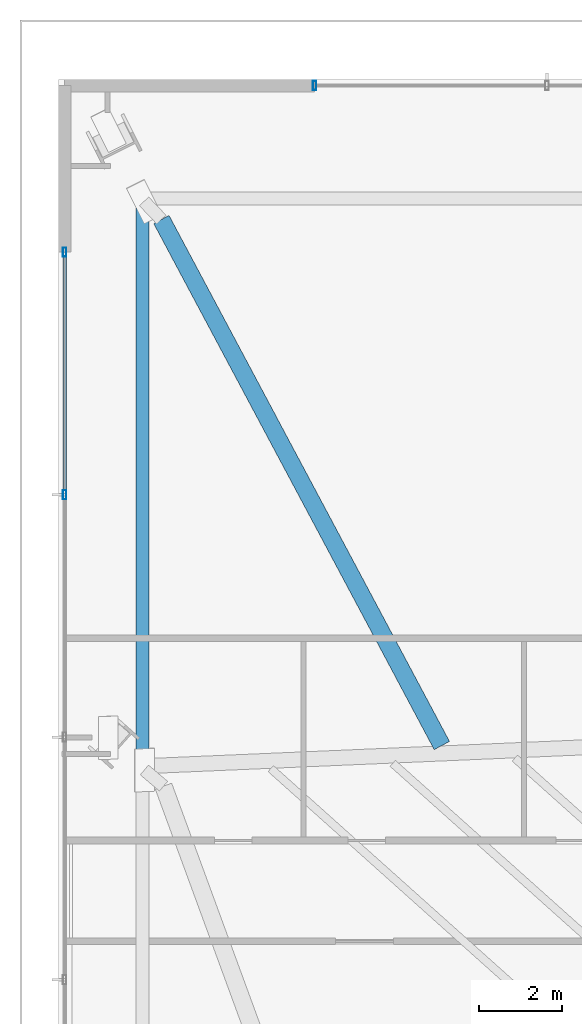
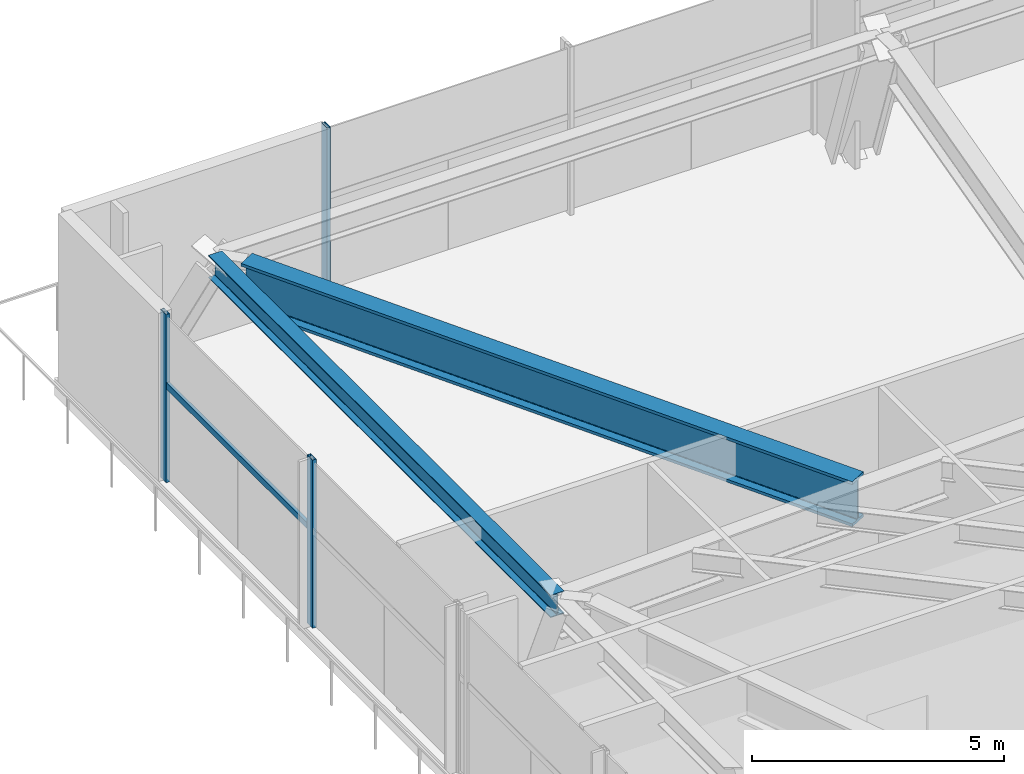
# One storey, part 9 of 30: 4 members, 2 beams, 2 elements without a shape of their own.
"""IFC4 building model written with IfcOpenShell, lengths in metres."""

import ifcopenshell
import ifcopenshell.guid

model = None  # the IFC model being written
_history = None  # IfcOwnerHistory: only IFC2X3 demands one
_inside = {}  # id of a spatial element -> (the spatial element, [elements in it])
_under = {}  # id of a project, library or spatial element -> (it, [spatial elements below it])
_declared = {}  # id of a project -> (the project, [libraries it declares])
_typed = {}  # id of a type object -> (the type object, [elements of that type])
_made_of = {}  # id of a material, layer set ... -> (it, [elements and type objects made of it])


def new_model(schema):
    """Start an empty IFC model of exactly this schema.

    Asked for "IFC4X3", IfcOpenShell would pick the latest addendum, in which some entities
    have other attributes; the version numbers below select the first issue.
    IFC2X3 requires an IfcOwnerHistory on every rooted entity: one is made here for all.
    """
    global model, _history
    if schema == "IFC4X3":
        model = ifcopenshell.file(schema_version=(4, 3, 0, 0))
    else:
        model = ifcopenshell.file(schema=schema)
    _inside.clear()
    _under.clear()
    _declared.clear()
    _typed.clear()
    _made_of.clear()
    _history = None
    if model.schema == "IFC2X3":
        org = make("IfcOrganization", Name="unknown")
        user = make(
            "IfcPersonAndOrganization",
            ThePerson=make("IfcPerson", FamilyName="unknown"),
            TheOrganization=org,
        )
        app = make(
            "IfcApplication",
            ApplicationDeveloper=org,
            Version="unknown",
            ApplicationFullName="unknown",
            ApplicationIdentifier="unknown",
        )
        _history = make(
            "IfcOwnerHistory",
            OwningUser=user,
            OwningApplication=app,
            ChangeAction="ADDED",
            CreationDate=0,
        )
    return model


def make(cls, **values):
    """One entity of the class cls with the attributes given. An attribute that is None is left unset."""
    return model.create_entity(
        cls, **{name: value for name, value in values.items() if value is not None}
    )


def rooted(cls, **values):
    """An entity with a GlobalId (a new one), such as an element, a storey or a relation."""
    return make(cls, GlobalId=ifcopenshell.guid.new(), OwnerHistory=_history, **values)


def si_unit(unit_type, name, prefix=None):
    """IfcSIUnit, for example si_unit("LENGTHUNIT", "METRE", prefix="MILLI")."""
    return make("IfcSIUnit", UnitType=unit_type, Prefix=prefix, Name=name)


def assignment(units):
    """IfcUnitAssignment: the units of a project."""
    return None if units is None else make("IfcUnitAssignment", Units=units)


def point(xyz):
    """IfcCartesianPoint."""
    return None if xyz is None else make("IfcCartesianPoint", Coordinates=xyz)


def direction(xyz):
    """IfcDirection."""
    return None if xyz is None else make("IfcDirection", DirectionRatios=xyz)


def frame(location, z_axis=None, x_axis=None):
    """IfcAxis2Placement3D, a coordinate frame: its origin and axes. An axis left out is left unset."""
    return make(
        "IfcAxis2Placement3D",
        Location=point(location),
        Axis=direction(z_axis),
        RefDirection=direction(x_axis),
    )


def frame_2d(location, x_axis=None):
    """IfcAxis2Placement2D, a coordinate frame in the plane: its origin and x axis."""
    return make(
        "IfcAxis2Placement2D", Location=point(location), RefDirection=direction(x_axis)
    )


def origin():
    """The frame at (0, 0, 0) with its axes left unset."""
    return frame((0.0, 0.0, 0.0))


def origin_2d():
    """The frame at (0, 0) in the plane with its x axis left unset."""
    return frame_2d((0.0, 0.0))


def place(relative_to, where):
    """IfcLocalPlacement: puts the frame where relative to a parent placement (None: the world)."""
    return make(
        "IfcLocalPlacement", PlacementRelTo=relative_to, RelativePlacement=where
    )


def context(
    kind, dimensions, precision=None, world=None, true_north=None, identifier=None
):
    """IfcGeometricRepresentationContext, for example the 3D "Model" context."""
    return make(
        "IfcGeometricRepresentationContext",
        ContextIdentifier=identifier,
        ContextType=kind,
        CoordinateSpaceDimension=dimensions,
        Precision=precision,
        WorldCoordinateSystem=world,
        TrueNorth=true_north,
    )


def subcontext(parent, identifier, kind, view, scale=None):
    """IfcGeometricRepresentationSubContext, for example "Body" below "Model"."""
    return make(
        "IfcGeometricRepresentationSubContext",
        ContextIdentifier=identifier,
        ContextType=kind,
        ParentContext=parent,
        TargetScale=scale,
        TargetView=view,
    )


def project(units=None, contexts=None):
    """IfcProject with its units and contexts."""
    return rooted(
        "IfcProject",
        Name="project",
        RepresentationContexts=contexts,
        UnitsInContext=assignment(units),
    )


def spatial(cls, under=None, at=None, **own):
    """A site, building, storey or space (cls), placed at a placement, below another one or the project."""
    s = rooted(cls, ObjectPlacement=at, **own)
    if under is not None:
        _under.setdefault(under.id(), (under, []))[1].append(s)
    return s


def profile(cls, at=None, kind="AREA", **sizes):
    """A parametric profile (cls). Its sizes go by their IFC names, for example OverallWidth=200.0."""
    return make(cls, ProfileType=kind, Position=at, **sizes)


def hollow_rectangle(**sizes):
    """IfcRectangleHollowProfileDef."""
    return profile("IfcRectangleHollowProfileDef", **sizes)


def i_section(**sizes):
    """IfcIShapeProfileDef."""
    return profile("IfcIShapeProfileDef", **sizes)


def extrude(swept, where, along, depth):
    """IfcExtrudedAreaSolid: the profile swept, set in the frame where, extruded along a direction by depth."""
    return make(
        "IfcExtrudedAreaSolid",
        SweptArea=swept,
        Position=where,
        ExtrudedDirection=direction(along),
        Depth=depth,
    )


def shape(context_of_items, identifier, shape_type, items):
    """IfcShapeRepresentation: the items that make up one representation, for example the "Body"."""
    return make(
        "IfcShapeRepresentation",
        ContextOfItems=context_of_items,
        RepresentationIdentifier=identifier,
        RepresentationType=shape_type,
        Items=items,
    )


def source(mapping_origin, context_of_items, identifier, shape_type, items):
    """IfcRepresentationMap: a shape defined once, which mapped items show again and again."""
    return make(
        "IfcRepresentationMap",
        MappingOrigin=mapping_origin,
        MappedRepresentation=shape(context_of_items, identifier, shape_type, items),
    )


def transform(
    local_origin,
    x_axis=None,
    y_axis=None,
    z_axis=None,
    scale=None,
    scale2=None,
    scale3=None,
    uniform=True,
):
    """IfcCartesianTransformationOperator3D, or its non-uniform kind. x_axis, y_axis, z_axis: its Axis1, 2, 3."""
    if uniform:
        return make(
            "IfcCartesianTransformationOperator3D",
            Axis1=direction(x_axis),
            Axis2=direction(y_axis),
            LocalOrigin=point(local_origin),
            Scale=scale,
            Axis3=direction(z_axis),
        )
    return make(
        "IfcCartesianTransformationOperator3DnonUniform",
        Axis1=direction(x_axis),
        Axis2=direction(y_axis),
        LocalOrigin=point(local_origin),
        Scale=scale,
        Axis3=direction(z_axis),
        Scale2=scale2,
        Scale3=scale3,
    )


def mapped(mapping_source, mapping_target):
    """IfcMappedItem: shows the shape of a source again, moved by a transform."""
    return make(
        "IfcMappedItem", MappingSource=mapping_source, MappingTarget=mapping_target
    )


def material(Name=None, Category=None):
    """IfcMaterial."""
    return make("IfcMaterial", Name=Name, Category=Category)


def material_profile(
    of_material, cross_section, Name=None, Category=None, Priority=None
):
    """IfcMaterialProfile: a cross section and its material."""
    return make(
        "IfcMaterialProfile",
        Name=Name,
        Material=of_material,
        Profile=cross_section,
        Priority=Priority,
        Category=Category,
    )


def profile_set(profiles, Name=None, composite=None):
    """IfcMaterialProfileSet."""
    return make(
        "IfcMaterialProfileSet",
        Name=Name,
        MaterialProfiles=profiles,
        CompositeProfile=composite,
    )


def made_of(thing, what):
    """Note that an element or type object is made of a material, layer set ...; save() writes the relation."""
    if what is not None:
        _made_of.setdefault(what.id(), (what, []))[1].append(thing)
    return thing


def type_object(cls, material=None, **own):
    """A type object (cls), such as IfcWallType, which elements share."""
    return made_of(rooted(cls, **own), material)


def type_shapes(of_type, sources):
    """Give a type object the sources (RepresentationMaps) that its elements show as mapped items."""
    of_type.RepresentationMaps = sources


def element(
    cls,
    number,
    at=None,
    inside=None,
    cuts=None,
    type_object=None,
    material=None,
    context=None,
    identifier="Body",
    shape_type=None,
    held_by="IfcProductDefinitionShape",
    body=None,
    shapes=None,
    **own,
):
    """One element of the class cls, such as IfcWall. Its Tag is "e" and its number.

    at: its placement. inside: the storey or other place that contains it. cuts: it is an
    opening in that element (IfcRelVoidsElement). A single representation is given by context,
    identifier, shape_type and body (its items); several are given by shapes. held_by: the class
    of the entity that holds the representations. save() writes the other relations.
    """
    e = rooted(cls, Tag="e%d" % number, ObjectPlacement=at, **own)
    if body is not None:
        shapes = [shape(context, identifier, shape_type, body)]
    if shapes is not None:
        e.Representation = make(held_by, Representations=shapes)
    if inside is not None:
        _inside.setdefault(inside.id(), (inside, []))[1].append(e)
    if cuts is not None:
        rooted(
            "IfcRelVoidsElement", RelatingBuildingElement=cuts, RelatedOpeningElement=e
        )
    if type_object is not None:
        _typed.setdefault(type_object.id(), (type_object, []))[1].append(e)
    return made_of(e, material)


def aggregate(whole, parts):
    """IfcRelAggregates: a whole, such as a stair, and the parts it consists of."""
    return rooted("IfcRelAggregates", RelatingObject=whole, RelatedObjects=parts)


def save(model, path):
    """Write the relations noted so far, then the file.

    IfcRelAggregates (storeys below a building ...), IfcRelContainedInSpatialStructure (elements
    in a storey), IfcRelDefinesByType, IfcRelAssociatesMaterial and IfcRelDeclares: one each for
    every whole, place, type object, material and project.
    """
    for whole, parts in _under.values():
        aggregate(whole, parts)
    for where, things in _inside.values():
        rooted(
            "IfcRelContainedInSpatialStructure",
            RelatedElements=things,
            RelatingStructure=where,
        )
    for kind, things in _typed.values():
        rooted("IfcRelDefinesByType", RelatedObjects=things, RelatingType=kind)
    for what, things in _made_of.values():
        rooted("IfcRelAssociatesMaterial", RelatedObjects=things, RelatingMaterial=what)
    for by, libraries in _declared.values():
        rooted("IfcRelDeclares", RelatingContext=by, RelatedDefinitions=libraries)
    model.write(path)


model = new_model("IFC4")

# Units and contexts
model_context = context("Model", 3, precision=1e-05, world=origin(), true_north=direction((0.0, 1.0)))
body_context = subcontext(model_context, "Body", "Model", "MODEL_VIEW")
ifc_project = project(units=[si_unit("LENGTHUNIT", "METRE"), si_unit("AREAUNIT", "SQUARE_METRE"), si_unit("VOLUMEUNIT", "CUBIC_METRE"), si_unit("PLANEANGLEUNIT", "RADIAN"), si_unit("MASSUNIT", "GRAM", prefix="KILO")], contexts=[model_context])

# Site, building, storey
site_placement = place(None, origin())
site = spatial("IfcSite", under=ifc_project, at=site_placement, CompositionType="ELEMENT")
building_placement = place(site_placement, origin())
building = spatial("IfcBuilding", under=site, at=building_placement, Name="Astriad Promenade Condominiums", CompositionType="ELEMENT")
storey_placement = place(building_placement, frame((0.0, 0.0, 14.0)))
storey = spatial("IfcBuildingStorey", under=building, at=storey_placement, Name="L03", CompositionType="ELEMENT", Elevation=14.0)

# Beams
ifc_material_1 = material(Name="Steel ASTM A992 Grade 50", Category="steel")
ifc_material_profile_1 = material_profile(ifc_material_1, i_section(OverallWidth=0.3134765625, OverallDepth=0.54638671875, WebThickness=0.013916015625, FlangeThickness=0.022216796875, FilletRadius=0.0166015625, at=origin_2d()), Name="W21X111")
ifc_profile_set_1 = profile_set([ifc_material_profile_1], Name="Steel ASTM A992 Grade 50")
beam_type_1 = type_object("IfcBeamType", Name="STEEL SPANDREL BEAM W21X111", PredefinedType="SPANDREL", material=ifc_profile_set_1)
shared_shape_1 = source(origin(), body_context, "Body", "SweptSolid", [
    extrude(i_section(OverallWidth=0.3134765625, OverallDepth=0.54638671875, WebThickness=0.013916015625, FlangeThickness=0.022216796875, FilletRadius=0.0166015625, at=origin_2d()), origin(), (0.0, 0.0, 1.0), 13.60693359375),
])
type_shapes(beam_type_1, [shared_shape_1])
beam_1_placement = place(storey_placement, frame((5.519775390625, 30.1005859375, 3.806884765625), z_axis=(0.0, -1.0, 0.0), x_axis=(1.0, 0.0, 0.0)))
element("IfcBeam", 1, at=beam_1_placement, inside=storey, type_object=beam_type_1, Name="Perimeter Spandrel Beam SP-W2-L03", PredefinedType="SPANDREL", context=body_context, shape_type="MappedRepresentation", body=[
    mapped(shared_shape_1, transform((0.0, 0.0, 0.0), scale=1.0)),
])
ifc_material_profile_2 = material_profile(ifc_material_1, i_section(OverallWidth=0.4169921875, OverallDepth=1.093505859375, WebThickness=0.0390625, FlangeThickness=0.070068359375, FilletRadius=0.025390625, at=origin_2d()), Name="W40X503")
ifc_profile_set_2 = profile_set([ifc_material_profile_2], Name="Steel ASTM A992 Grade 50")
beam_type_2 = type_object("IfcBeamType", Name="STEEL TRANSFER GIRDER W40X503", PredefinedType="BEAM", material=ifc_profile_set_2)
shared_shape_2 = source(origin(), body_context, "Body", "SweptSolid", [
    extrude(i_section(OverallWidth=0.4169921875, OverallDepth=1.093505859375, WebThickness=0.0390625, FlangeThickness=0.070068359375, FilletRadius=0.025390625, at=origin_2d()), origin(), (0.0, 0.0, 1.0), 14.314697265625),
])
type_shapes(beam_type_2, [shared_shape_2])
beam_2_placement = place(storey_placement, frame((12.70654296875, 17.00146484375, 3.533203125), z_axis=(-0.470534236308, 0.882381738514, 0.0), x_axis=(-0.882381738514, -0.470534236308, 0.0)))
element("IfcBeam", 2, at=beam_2_placement, inside=storey, type_object=beam_type_2, Name="Transfer Splice Carrier TRM-SP-PC06-L03", PredefinedType="BEAM", context=body_context, shape_type="MappedRepresentation", body=[
    mapped(shared_shape_2, transform((0.0, 0.0, 0.0), scale=1.0)),
])

# Curtain wall, members
ifc_material_2 = material(Name="Anodised aluminium Black Dark Glass Unitised", Category="aluminium")
curtain_wall_type = type_object("IfcCurtainWallType", Name="CW-POD-DARK", PredefinedType="USERDEFINED", material=ifc_material_2)
curtain_wall_1_placement = place(storey_placement, origin())
curtain_wall_1 = element("IfcCurtainWall", 3, at=curtain_wall_1_placement, inside=storey, type_object=curtain_wall_type, Name="CW-L03-W", ObjectType="UNITISED_CURTAIN_WALL", PredefinedType="USERDEFINED")
ifc_material_3 = material(Name="Anodised aluminium 6063-T6 Black", Category="aluminium")
ifc_material_profile_3 = material_profile(ifc_material_3, hollow_rectangle(XDim=0.0849609375, YDim=0.219970703125, WallThickness=0.0048828125, at=origin_2d()), Name="ALU-MUL-85X220")
ifc_profile_set_3 = profile_set([ifc_material_profile_3], Name="Anodised aluminium 6063-T6 Black")
member_type_1 = type_object("IfcMemberType", Name="MUL-ALU-MUL-85X220", PredefinedType="MULLION", material=ifc_profile_set_3)
shared_shape_3 = source(origin(), body_context, "Body", "SweptSolid", [
    extrude(hollow_rectangle(XDim=0.0849609375, YDim=0.219970703125, WallThickness=0.0048828125, at=origin_2d()), origin(), (0.0, 0.0, 1.0), 4.080078125),
])
type_shapes(member_type_1, [shared_shape_3])
member_1_placement = place(storey_placement, frame((3.64990234375, 23.02490234375, 0.0), z_axis=(0.0, 0.0, 1.0), x_axis=(1.0, 0.0, 0.0)))
member_1 = element("IfcMember", 4, at=member_1_placement, type_object=member_type_1, Name="CW-L03-W-MUL-03", PredefinedType="MULLION", context=body_context, shape_type="MappedRepresentation", body=[
    mapped(shared_shape_3, transform((0.0, 0.0, 0.0), scale=1.0)),
])
member_2_placement = place(storey_placement, frame((3.64990234375, 28.85009765625, 0.0), z_axis=(0.0, 0.0, 1.0), x_axis=(1.0, 0.0, 0.0)))
member_2 = element("IfcMember", 5, at=member_2_placement, type_object=member_type_1, Name="CW-L03-W-MUL-04", PredefinedType="MULLION", context=body_context, shape_type="MappedRepresentation", body=[
    mapped(shared_shape_3, transform((0.0, 0.0, 0.0), scale=1.0)),
])

# Curtain wall, member
curtain_wall_2_placement = place(storey_placement, origin())
curtain_wall_2 = element("IfcCurtainWall", 6, at=curtain_wall_2_placement, inside=storey, type_object=curtain_wall_type, Name="CW-L03-N", ObjectType="UNITISED_CURTAIN_WALL", PredefinedType="USERDEFINED")
member_3_placement = place(storey_placement, frame((9.64990234375, 32.85009765625, 0.0), z_axis=(0.0, 0.0, 1.0), x_axis=(1.0, 0.0, 0.0)))
member_3 = element("IfcMember", 7, at=member_3_placement, type_object=member_type_1, Name="CW-L03-N-MUL-00", PredefinedType="MULLION", context=body_context, shape_type="MappedRepresentation", body=[
    mapped(shared_shape_3, transform((0.0, 0.0, 0.0), scale=1.0)),
])
aggregate(curtain_wall_2, [member_3])

# Member
ifc_material_profile_4 = material_profile(ifc_material_3, hollow_rectangle(XDim=0.074951171875, YDim=0.14990234375, WallThickness=0.004150390625, at=origin_2d()), Name="ALU-TRN-75X150")
ifc_profile_set_4 = profile_set([ifc_material_profile_4], Name="Anodised aluminium 6063-T6 Black")
member_type_2 = type_object("IfcMemberType", Name="TRN-ALU-TRN-75X150", PredefinedType="USERDEFINED", material=ifc_profile_set_4)
shared_shape_4 = source(origin(), body_context, "Body", "SweptSolid", [
    extrude(hollow_rectangle(XDim=0.074951171875, YDim=0.14990234375, WallThickness=0.004150390625, at=origin_2d()), origin(), (0.0, 0.0, 1.0), 5.8251953125),
])
type_shapes(member_type_2, [shared_shape_4])
member_4_placement = place(storey_placement, frame((3.64990234375, 23.02490234375, 2.35009765625), z_axis=(0.0, 1.0, 0.0), x_axis=(-1.0, 0.0, 0.0)))
member_4 = element("IfcMember", 8, at=member_4_placement, type_object=member_type_2, Name="CW-L03-W-TRN-03-0", ObjectType="TRANSOM", PredefinedType="USERDEFINED", context=body_context, shape_type="MappedRepresentation", body=[
    mapped(shared_shape_4, transform((0.0, 0.0, 0.0), scale=1.0)),
])

aggregate(curtain_wall_1, [member_1, member_2, member_4])

save(model, "model.ifc")
